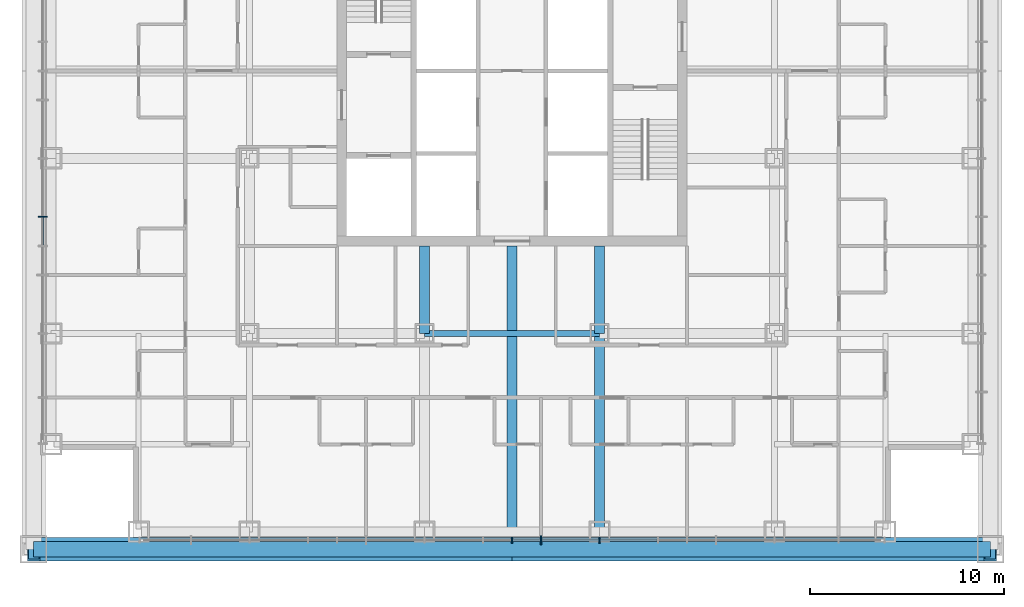
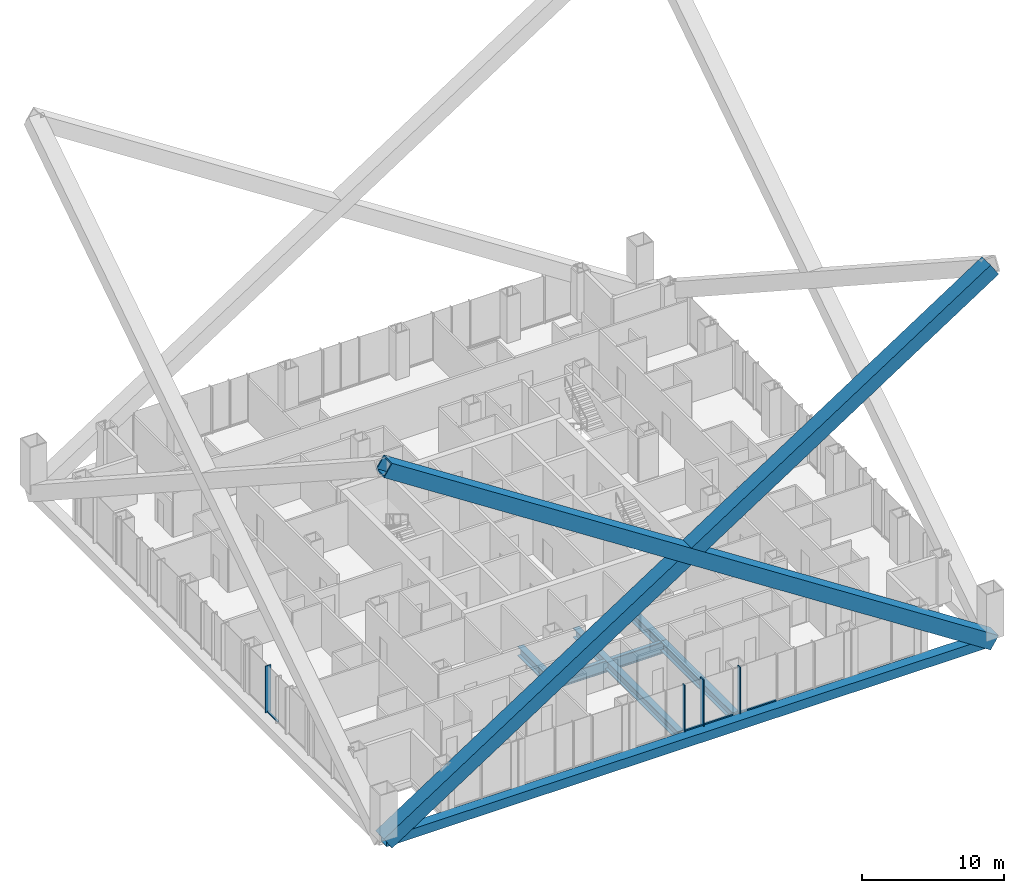
# One storey, part 3 of 21: 11 members, 5 beams, 2 elements without a shape of their own.
"""IFC4 building model written with IfcOpenShell, lengths in metres."""

import ifcopenshell
import ifcopenshell.guid

model = None  # the IFC model being written
_history = None  # IfcOwnerHistory: only IFC2X3 demands one
_inside = {}  # id of a spatial element -> (the spatial element, [elements in it])
_under = {}  # id of a project, library or spatial element -> (it, [spatial elements below it])
_declared = {}  # id of a project -> (the project, [libraries it declares])
_typed = {}  # id of a type object -> (the type object, [elements of that type])
_made_of = {}  # id of a material, layer set ... -> (it, [elements and type objects made of it])


def new_model(schema):
    """Start an empty IFC model of exactly this schema.

    Asked for "IFC4X3", IfcOpenShell would pick the latest addendum, in which some entities
    have other attributes; the version numbers below select the first issue.
    IFC2X3 requires an IfcOwnerHistory on every rooted entity: one is made here for all.
    """
    global model, _history
    if schema == "IFC4X3":
        model = ifcopenshell.file(schema_version=(4, 3, 0, 0))
    else:
        model = ifcopenshell.file(schema=schema)
    _inside.clear()
    _under.clear()
    _declared.clear()
    _typed.clear()
    _made_of.clear()
    _history = None
    if model.schema == "IFC2X3":
        org = make("IfcOrganization", Name="unknown")
        user = make(
            "IfcPersonAndOrganization",
            ThePerson=make("IfcPerson", FamilyName="unknown"),
            TheOrganization=org,
        )
        app = make(
            "IfcApplication",
            ApplicationDeveloper=org,
            Version="unknown",
            ApplicationFullName="unknown",
            ApplicationIdentifier="unknown",
        )
        _history = make(
            "IfcOwnerHistory",
            OwningUser=user,
            OwningApplication=app,
            ChangeAction="ADDED",
            CreationDate=0,
        )
    return model


def make(cls, **values):
    """One entity of the class cls with the attributes given. An attribute that is None is left unset."""
    return model.create_entity(
        cls, **{name: value for name, value in values.items() if value is not None}
    )


def rooted(cls, **values):
    """An entity with a GlobalId (a new one), such as an element, a storey or a relation."""
    return make(cls, GlobalId=ifcopenshell.guid.new(), OwnerHistory=_history, **values)


def si_unit(unit_type, name, prefix=None):
    """IfcSIUnit, for example si_unit("LENGTHUNIT", "METRE", prefix="MILLI")."""
    return make("IfcSIUnit", UnitType=unit_type, Prefix=prefix, Name=name)


def assignment(units):
    """IfcUnitAssignment: the units of a project."""
    return None if units is None else make("IfcUnitAssignment", Units=units)


def point(xyz):
    """IfcCartesianPoint."""
    return None if xyz is None else make("IfcCartesianPoint", Coordinates=xyz)


def direction(xyz):
    """IfcDirection."""
    return None if xyz is None else make("IfcDirection", DirectionRatios=xyz)


def frame(location, z_axis=None, x_axis=None):
    """IfcAxis2Placement3D, a coordinate frame: its origin and axes. An axis left out is left unset."""
    return make(
        "IfcAxis2Placement3D",
        Location=point(location),
        Axis=direction(z_axis),
        RefDirection=direction(x_axis),
    )


def frame_2d(location, x_axis=None):
    """IfcAxis2Placement2D, a coordinate frame in the plane: its origin and x axis."""
    return make(
        "IfcAxis2Placement2D", Location=point(location), RefDirection=direction(x_axis)
    )


def origin():
    """The frame at (0, 0, 0) with its axes left unset."""
    return frame((0.0, 0.0, 0.0))


def origin_2d():
    """The frame at (0, 0) in the plane with its x axis left unset."""
    return frame_2d((0.0, 0.0))


def place(relative_to, where):
    """IfcLocalPlacement: puts the frame where relative to a parent placement (None: the world)."""
    return make(
        "IfcLocalPlacement", PlacementRelTo=relative_to, RelativePlacement=where
    )


def context(
    kind, dimensions, precision=None, world=None, true_north=None, identifier=None
):
    """IfcGeometricRepresentationContext, for example the 3D "Model" context."""
    return make(
        "IfcGeometricRepresentationContext",
        ContextIdentifier=identifier,
        ContextType=kind,
        CoordinateSpaceDimension=dimensions,
        Precision=precision,
        WorldCoordinateSystem=world,
        TrueNorth=true_north,
    )


def subcontext(parent, identifier, kind, view, scale=None):
    """IfcGeometricRepresentationSubContext, for example "Body" below "Model"."""
    return make(
        "IfcGeometricRepresentationSubContext",
        ContextIdentifier=identifier,
        ContextType=kind,
        ParentContext=parent,
        TargetScale=scale,
        TargetView=view,
    )


def project(units=None, contexts=None):
    """IfcProject with its units and contexts."""
    return rooted(
        "IfcProject",
        Name="project",
        RepresentationContexts=contexts,
        UnitsInContext=assignment(units),
    )


def spatial(cls, under=None, at=None, **own):
    """A site, building, storey or space (cls), placed at a placement, below another one or the project."""
    s = rooted(cls, ObjectPlacement=at, **own)
    if under is not None:
        _under.setdefault(under.id(), (under, []))[1].append(s)
    return s


def profile(cls, at=None, kind="AREA", **sizes):
    """A parametric profile (cls). Its sizes go by their IFC names, for example OverallWidth=200.0."""
    return make(cls, ProfileType=kind, Position=at, **sizes)


def rectangle(**sizes):
    """IfcRectangleProfileDef."""
    return profile("IfcRectangleProfileDef", **sizes)


def hollow_rectangle(**sizes):
    """IfcRectangleHollowProfileDef."""
    return profile("IfcRectangleHollowProfileDef", **sizes)


def i_section(**sizes):
    """IfcIShapeProfileDef."""
    return profile("IfcIShapeProfileDef", **sizes)


def extrude(swept, where, along, depth):
    """IfcExtrudedAreaSolid: the profile swept, set in the frame where, extruded along a direction by depth."""
    return make(
        "IfcExtrudedAreaSolid",
        SweptArea=swept,
        Position=where,
        ExtrudedDirection=direction(along),
        Depth=depth,
    )


def shape(context_of_items, identifier, shape_type, items):
    """IfcShapeRepresentation: the items that make up one representation, for example the "Body"."""
    return make(
        "IfcShapeRepresentation",
        ContextOfItems=context_of_items,
        RepresentationIdentifier=identifier,
        RepresentationType=shape_type,
        Items=items,
    )


def material(Name=None, Category=None):
    """IfcMaterial."""
    return make("IfcMaterial", Name=Name, Category=Category)


def layer(
    of_material, thickness, ventilated=None, Name=None, Category=None, Priority=None
):
    """IfcMaterialLayer: one layer of a wall or slab, of a material (None: an air gap)."""
    return make(
        "IfcMaterialLayer",
        Material=of_material,
        LayerThickness=thickness,
        IsVentilated=ventilated,
        Name=Name,
        Category=Category,
        Priority=Priority,
    )


def layer_set(layers, Name=None):
    """IfcMaterialLayerSet."""
    return make("IfcMaterialLayerSet", MaterialLayers=layers, LayerSetName=Name)


def material_profile(
    of_material, cross_section, Name=None, Category=None, Priority=None
):
    """IfcMaterialProfile: a cross section and its material."""
    return make(
        "IfcMaterialProfile",
        Name=Name,
        Material=of_material,
        Profile=cross_section,
        Priority=Priority,
        Category=Category,
    )


def profile_set(profiles, Name=None, composite=None):
    """IfcMaterialProfileSet."""
    return make(
        "IfcMaterialProfileSet",
        Name=Name,
        MaterialProfiles=profiles,
        CompositeProfile=composite,
    )


def made_of(thing, what):
    """Note that an element or type object is made of a material, layer set ...; save() writes the relation."""
    if what is not None:
        _made_of.setdefault(what.id(), (what, []))[1].append(thing)
    return thing


def type_object(cls, material=None, **own):
    """A type object (cls), such as IfcWallType, which elements share."""
    return made_of(rooted(cls, **own), material)


def element(
    cls,
    number,
    at=None,
    inside=None,
    cuts=None,
    type_object=None,
    material=None,
    context=None,
    identifier="Body",
    shape_type=None,
    held_by="IfcProductDefinitionShape",
    body=None,
    shapes=None,
    **own,
):
    """One element of the class cls, such as IfcWall. Its Tag is "e" and its number.

    at: its placement. inside: the storey or other place that contains it. cuts: it is an
    opening in that element (IfcRelVoidsElement). A single representation is given by context,
    identifier, shape_type and body (its items); several are given by shapes. held_by: the class
    of the entity that holds the representations. save() writes the other relations.
    """
    e = rooted(cls, Tag="e%d" % number, ObjectPlacement=at, **own)
    if body is not None:
        shapes = [shape(context, identifier, shape_type, body)]
    if shapes is not None:
        e.Representation = make(held_by, Representations=shapes)
    if inside is not None:
        _inside.setdefault(inside.id(), (inside, []))[1].append(e)
    if cuts is not None:
        rooted(
            "IfcRelVoidsElement", RelatingBuildingElement=cuts, RelatedOpeningElement=e
        )
    if type_object is not None:
        _typed.setdefault(type_object.id(), (type_object, []))[1].append(e)
    return made_of(e, material)


def aggregate(whole, parts):
    """IfcRelAggregates: a whole, such as a stair, and the parts it consists of."""
    return rooted("IfcRelAggregates", RelatingObject=whole, RelatedObjects=parts)


def save(model, path):
    """Write the relations noted so far, then the file.

    IfcRelAggregates (storeys below a building ...), IfcRelContainedInSpatialStructure (elements
    in a storey), IfcRelDefinesByType, IfcRelAssociatesMaterial and IfcRelDeclares: one each for
    every whole, place, type object, material and project.
    """
    for whole, parts in _under.values():
        aggregate(whole, parts)
    for where, things in _inside.values():
        rooted(
            "IfcRelContainedInSpatialStructure",
            RelatedElements=things,
            RelatingStructure=where,
        )
    for kind, things in _typed.values():
        rooted("IfcRelDefinesByType", RelatedObjects=things, RelatingType=kind)
    for what, things in _made_of.values():
        rooted("IfcRelAssociatesMaterial", RelatedObjects=things, RelatingMaterial=what)
    for by, libraries in _declared.values():
        rooted("IfcRelDeclares", RelatingContext=by, RelatedDefinitions=libraries)
    model.write(path)


model = new_model("IFC4")

# Units and contexts
model_context = context("Model", 3, precision=1e-05, world=origin(), true_north=direction((0.0, 1.0)))
body_context = subcontext(model_context, "Body", "Model", "MODEL_VIEW")
ifc_project = project(units=[si_unit("LENGTHUNIT", "METRE"), si_unit("AREAUNIT", "SQUARE_METRE"), si_unit("VOLUMEUNIT", "CUBIC_METRE"), si_unit("PLANEANGLEUNIT", "RADIAN"), si_unit("MASSUNIT", "GRAM", prefix="KILO")], contexts=[model_context])

# Site, building, storey
site_placement = place(None, origin())
site = spatial("IfcSite", under=ifc_project, at=site_placement, CompositionType="ELEMENT")
building_placement = place(site_placement, origin())
building = spatial("IfcBuilding", under=site, at=building_placement, Name="Malebo Sky Hospital", CompositionType="ELEMENT")
storey_placement = place(building_placement, frame((0.0, 0.0, 140.0)))
storey = spatial("IfcBuildingStorey", under=building, at=storey_placement, Name="L33", CompositionType="ELEMENT", Elevation=140.0)

# Curtain wall, member
ifc_material_1 = material(Name="Anodised aluminium, natural silver", Category="aluminium")
ifc_layer_1 = layer(ifc_material_1, 0.25)
ifc_layer_set_1 = layer_set([ifc_layer_1], Name="WARD CURTAIN WALL EAST AND WEST")
curtain_wall_type_1 = type_object("IfcCurtainWallType", Name="WARD CURTAIN WALL EAST AND WEST", PredefinedType="NOTDEFINED", material=ifc_layer_set_1)
curtain_wall_1_placement = place(storey_placement, origin())
curtain_wall_1 = element("IfcCurtainWall", 1, at=curtain_wall_1_placement, inside=storey, type_object=curtain_wall_type_1, Name="EW curtain wall W", PredefinedType="NOTDEFINED")
ifc_material_profile_1 = material_profile(ifc_material_1, rectangle(XDim=0.14990234375, YDim=0.10009765625, at=origin_2d()), Name="ALUMINIUM TRANSOM 150x100")
ifc_profile_set_1 = profile_set([ifc_material_profile_1], Name="Anodised aluminium, natural silver")
member_type_1 = type_object("IfcMemberType", Name="ALUMINIUM TRANSOM 150x100", PredefinedType="USERDEFINED", material=ifc_profile_set_1)
member_1_placement = place(storey_placement, frame((35.864990234375, 53.03759765625, 0.050048828125), z_axis=(0.0, 1.0, 0.0), x_axis=(-1.0, 0.0, 0.0)))
member_1 = element("IfcMember", 2, at=member_1_placement, type_object=member_type_1, Name="Transom 5", ObjectType="TRANSOM", PredefinedType="USERDEFINED", context=body_context, shape_type="SweptSolid", body=[
    extrude(rectangle(XDim=0.14990234375, YDim=0.10009765625, at=origin_2d()), origin(), (0.0, 0.0, 1.0), 1.4248046875),
])

# Curtain wall, members
ifc_layer_2 = layer(ifc_material_1, 0.25)
ifc_layer_set_2 = layer_set([ifc_layer_2], Name="WARD CURTAIN WALL NORTH AND SOUTH")
curtain_wall_type_2 = type_object("IfcCurtainWallType", Name="WARD CURTAIN WALL NORTH AND SOUTH", PredefinedType="NOTDEFINED", material=ifc_layer_set_2)
curtain_wall_2_placement = place(storey_placement, origin())
curtain_wall_2 = element("IfcCurtainWall", 3, at=curtain_wall_2_placement, inside=storey, type_object=curtain_wall_type_2, Name="NS curtain wall S", PredefinedType="NOTDEFINED")
member_2_placement = place(storey_placement, frame((67.46240234375, 37.864990234375, 0.050048828125), z_axis=(-1.0, 0.0, 0.0), x_axis=(0.0, -1.0, 0.0)))
member_2 = element("IfcMember", 4, at=member_2_placement, type_object=member_type_1, Name="Transom 6", ObjectType="TRANSOM", PredefinedType="USERDEFINED", context=body_context, shape_type="SweptSolid", body=[
    extrude(rectangle(XDim=0.14990234375, YDim=0.10009765625, at=origin_2d()), origin(), (0.0, 0.0, 1.0), 2.9248046875),
])
member_3_placement = place(storey_placement, frame((64.46240234375, 37.864990234375, 0.050048828125), z_axis=(-1.0, 0.0, 0.0), x_axis=(0.0, -1.0, 0.0)))
member_3 = element("IfcMember", 5, at=member_3_placement, type_object=member_type_1, Name="Transom 7", ObjectType="TRANSOM", PredefinedType="USERDEFINED", context=body_context, shape_type="SweptSolid", body=[
    extrude(rectangle(XDim=0.14990234375, YDim=0.10009765625, at=origin_2d()), origin(), (0.0, 0.0, 1.0), 2.9248046875),
])
member_4_placement = place(storey_placement, frame((61.46240234375, 37.864990234375, 0.050048828125), z_axis=(-1.0, 0.0, 0.0), x_axis=(0.0, -1.0, 0.0)))
member_4 = element("IfcMember", 6, at=member_4_placement, type_object=member_type_1, Name="Transom 8", ObjectType="TRANSOM", PredefinedType="USERDEFINED", context=body_context, shape_type="SweptSolid", body=[
    extrude(rectangle(XDim=0.14990234375, YDim=0.10009765625, at=origin_2d()), origin(), (0.0, 0.0, 1.0), 1.4248046875),
])
ifc_material_profile_2 = material_profile(ifc_material_1, rectangle(XDim=0.074951171875, YDim=0.300048828125, at=origin_2d()), Name="CW1 ALUMINIUM FIN MULLION 75x300")
ifc_profile_set_2 = profile_set([ifc_material_profile_2], Name="Anodised aluminium, natural silver")
member_type_2 = type_object("IfcMemberType", Name="CW1 ALUMINIUM FIN MULLION 75x300", PredefinedType="MULLION", material=ifc_profile_set_2)
member_5_placement = place(storey_placement, frame((64.5, 37.864990234375, 0.0), z_axis=(0.0, 0.0, 1.0), x_axis=(-1.0, 0.0, 0.0)))
member_5 = element("IfcMember", 7, at=member_5_placement, type_object=member_type_2, Name="Fin mullion 7", PredefinedType="MULLION", context=body_context, shape_type="SweptSolid", body=[
    extrude(rectangle(XDim=0.074951171875, YDim=0.300048828125, at=origin_2d()), origin(), (0.0, 0.0, 1.0), 4.0),
])
member_6_placement = place(storey_placement, frame((60.0, 37.864990234375, 0.0), z_axis=(0.0, 0.0, 1.0), x_axis=(-1.0, 0.0, 0.0)))
member_6 = element("IfcMember", 8, at=member_6_placement, type_object=member_type_2, Name="Fin mullion 9", PredefinedType="MULLION", context=body_context, shape_type="SweptSolid", body=[
    extrude(rectangle(XDim=0.074951171875, YDim=0.300048828125, at=origin_2d()), origin(), (0.0, 0.0, 1.0), 4.0),
])
ifc_material_profile_3 = material_profile(ifc_material_1, rectangle(XDim=0.074951171875, YDim=0.449951171875, at=origin_2d()), Name="CW1 ALUMINIUM FIN MULLION 75x450")
ifc_profile_set_3 = profile_set([ifc_material_profile_3], Name="Anodised aluminium, natural silver")
member_type_3 = type_object("IfcMemberType", Name="CW1 ALUMINIUM FIN MULLION 75x450", PredefinedType="MULLION", material=ifc_profile_set_3)
member_7_placement = place(storey_placement, frame((61.5, 37.864990234375, 0.0), z_axis=(0.0, 0.0, 1.0), x_axis=(-1.0, 0.0, 0.0)))
member_7 = element("IfcMember", 9, at=member_7_placement, type_object=member_type_3, Name="Fin mullion 8", PredefinedType="MULLION", context=body_context, shape_type="SweptSolid", body=[
    extrude(rectangle(XDim=0.074951171875, YDim=0.449951171875, at=origin_2d()), origin(), (0.0, 0.0, 1.0), 4.0),
])
aggregate(curtain_wall_2, [member_5, member_7, member_6, member_2, member_3, member_4])

# Member
ifc_material_profile_4 = material_profile(ifc_material_1, rectangle(XDim=0.074951171875, YDim=0.449951171875, at=origin_2d()), Name="CW2 ALUMINIUM FIN MULLION 75x450")
ifc_profile_set_4 = profile_set([ifc_material_profile_4], Name="Anodised aluminium, natural silver")
member_type_4 = type_object("IfcMemberType", Name="CW2 ALUMINIUM FIN MULLION 75x450", PredefinedType="MULLION", material=ifc_profile_set_4)
member_8_placement = place(storey_placement, frame((35.864990234375, 54.5, 0.0), z_axis=(0.0, 0.0, 1.0), x_axis=(0.0, 1.0, 0.0)))
member_8 = element("IfcMember", 10, at=member_8_placement, type_object=member_type_4, Name="Fin mullion 6", PredefinedType="MULLION", context=body_context, shape_type="SweptSolid", body=[
    extrude(rectangle(XDim=0.074951171875, YDim=0.449951171875, at=origin_2d()), origin(), (0.0, 0.0, 1.0), 4.0),
])

aggregate(curtain_wall_1, [member_8, member_1])

# Beams
ifc_material_2 = material(Name="Steel S355", Category="steel")
ifc_material_profile_5 = material_profile(ifc_material_2, i_section(OverallWidth=0.5, OverallDepth=0.800048828125, WebThickness=0.030029296875, FlangeThickness=0.050048828125, at=origin_2d()), Name="PG 800x500x30x50")
ifc_profile_set_5 = profile_set([ifc_material_profile_5], Name="Steel S355")
beam_type_1 = type_object("IfcBeamType", Name="FLOOR BEAM PG 800x500x30x50", PredefinedType="BEAM", material=ifc_profile_set_5)
beam_1_placement = place(storey_placement, frame((55.5, 48.5, -0.64990234375), z_axis=(0.0, 1.0, 0.0), x_axis=(-1.0, 0.0, 0.0)))
element("IfcBeam", 11, at=beam_1_placement, inside=storey, type_object=beam_type_1, Name="Beam 013 L33", PredefinedType="BEAM", context=body_context, shape_type="SweptSolid", body=[
    extrude(i_section(OverallWidth=0.5, OverallDepth=0.800048828125, WebThickness=0.030029296875, FlangeThickness=0.050048828125, at=origin_2d()), origin(), (0.0, 0.0, 1.0), 4.5),
])
beam_2_placement = place(storey_placement, frame((60.0, 38.300048828125, -0.64990234375), z_axis=(0.0, 1.0, 0.0), x_axis=(-1.0, 0.0, 0.0)))
element("IfcBeam", 12, at=beam_2_placement, inside=storey, type_object=beam_type_1, Name="Beam 016 L33", PredefinedType="BEAM", context=body_context, shape_type="SweptSolid", body=[
    extrude(i_section(OverallWidth=0.5, OverallDepth=0.800048828125, WebThickness=0.030029296875, FlangeThickness=0.050048828125, at=origin_2d()), origin(), (0.0, 0.0, 1.0), 14.699951171875),
])
beam_3_placement = place(storey_placement, frame((64.5, 38.300048828125, -0.64990234375), z_axis=(0.0, 1.0, 0.0), x_axis=(-1.0, 0.0, 0.0)))
element("IfcBeam", 13, at=beam_3_placement, inside=storey, type_object=beam_type_1, Name="Beam 018 L33", PredefinedType="BEAM", context=body_context, shape_type="SweptSolid", body=[
    extrude(i_section(OverallWidth=0.5, OverallDepth=0.800048828125, WebThickness=0.030029296875, FlangeThickness=0.050048828125, at=origin_2d()), origin(), (0.0, 0.0, 1.0), 10.199951171875),
])
beam_4_placement = place(storey_placement, frame((64.5, 48.5, -0.64990234375), z_axis=(0.0, 1.0, 0.0), x_axis=(-1.0, 0.0, 0.0)))
element("IfcBeam", 14, at=beam_4_placement, inside=storey, type_object=beam_type_1, Name="Beam 019 L33", PredefinedType="BEAM", context=body_context, shape_type="SweptSolid", body=[
    extrude(i_section(OverallWidth=0.5, OverallDepth=0.800048828125, WebThickness=0.030029296875, FlangeThickness=0.050048828125, at=origin_2d()), origin(), (0.0, 0.0, 1.0), 4.5),
])

# Members
ifc_material_3 = material(Name="Steel S460", Category="steel")
ifc_material_profile_6 = material_profile(ifc_material_3, hollow_rectangle(XDim=1.199951171875, YDim=1.199951171875, WallThickness=0.10009765625, at=origin_2d()), Name="BOX 1200x1200x100")
ifc_profile_set_6 = profile_set([ifc_material_profile_6], Name="Steel S460")
member_type_5 = type_object("IfcMemberType", Name="MEGA BRACE BOX 1200x1200x100", PredefinedType="BRACE", material=ifc_profile_set_6)
for number, where, z_axis, x_axis, name in (
    (15, (35.39990234375, 37.39990234375, -0.39990234375), (0.838288860392, 0.0, 0.545226362663), (0.0, 1.0, 0.0), "Mega brace B2S1 L33-L41"),
    (16, (84.60009765625, 37.39990234375, -0.39990234375), (-0.838288860392, 0.0, 0.545226362663), (0.0, -1.0, 0.0), "Mega brace B2S2 L33-L41"),
):
    element("IfcMember", number, at=place(storey_placement, frame(where, z_axis=z_axis, x_axis=x_axis)), inside=storey, type_object=member_type_5, Name=name, PredefinedType="BRACE", context=body_context, shape_type="SweptSolid", body=[
        extrude(hollow_rectangle(XDim=1.199951171875, YDim=1.199951171875, WallThickness=0.10009765625, at=origin_2d()), origin(), (0.0, 0.0, 1.0), 58.691162109375),
    ])
ifc_material_profile_7 = material_profile(ifc_material_3, hollow_rectangle(XDim=0.800048828125, YDim=0.800048828125, WallThickness=0.0400390625, at=origin_2d()), Name="BOX 800x800x40")
ifc_profile_set_7 = profile_set([ifc_material_profile_7], Name="Steel S460")
member_type_6 = type_object("IfcMemberType", Name="MEGA TIE BOX 800x800x40", PredefinedType="CHORD", material=ifc_profile_set_7)
member_9_placement = place(storey_placement, frame((35.39990234375, 37.39990234375, -0.39990234375), z_axis=(1.0, 0.0, 0.0), x_axis=(0.0, 1.0, 0.0)))
element("IfcMember", 17, at=member_9_placement, inside=storey, type_object=member_type_6, Name="Mega tie BS L33", PredefinedType="CHORD", context=body_context, shape_type="SweptSolid", body=[
    extrude(hollow_rectangle(XDim=0.800048828125, YDim=0.800048828125, WallThickness=0.0400390625, at=origin_2d()), origin(), (0.0, 0.0, 1.0), 49.2001953125),
])

# Beam
ifc_material_profile_8 = material_profile(ifc_material_2, i_section(OverallWidth=0.300048828125, OverallDepth=1.0, WebThickness=0.01904296875, FlangeThickness=0.035888671875, FilletRadius=0.030029296875, at=origin_2d()), Name="HEB 1000")
ifc_profile_set_8 = profile_set([ifc_material_profile_8], Name="Steel S355")
beam_type_2 = type_object("IfcBeamType", Name="RING GIRDER HEB 1000", PredefinedType="BEAM", material=ifc_profile_set_8)
beam_5_placement = place(storey_placement, frame((55.5, 48.5, -0.75), z_axis=(1.0, 0.0, 0.0), x_axis=(0.0, 1.0, 0.0)))
element("IfcBeam", 18, at=beam_5_placement, inside=storey, type_object=beam_type_2, Name="Beam 043 L33", PredefinedType="BEAM", context=body_context, shape_type="SweptSolid", body=[
    extrude(i_section(OverallWidth=0.300048828125, OverallDepth=1.0, WebThickness=0.01904296875, FlangeThickness=0.035888671875, FilletRadius=0.030029296875, at=origin_2d()), origin(), (0.0, 0.0, 1.0), 9.0),
])

save(model, "model.ifc")
